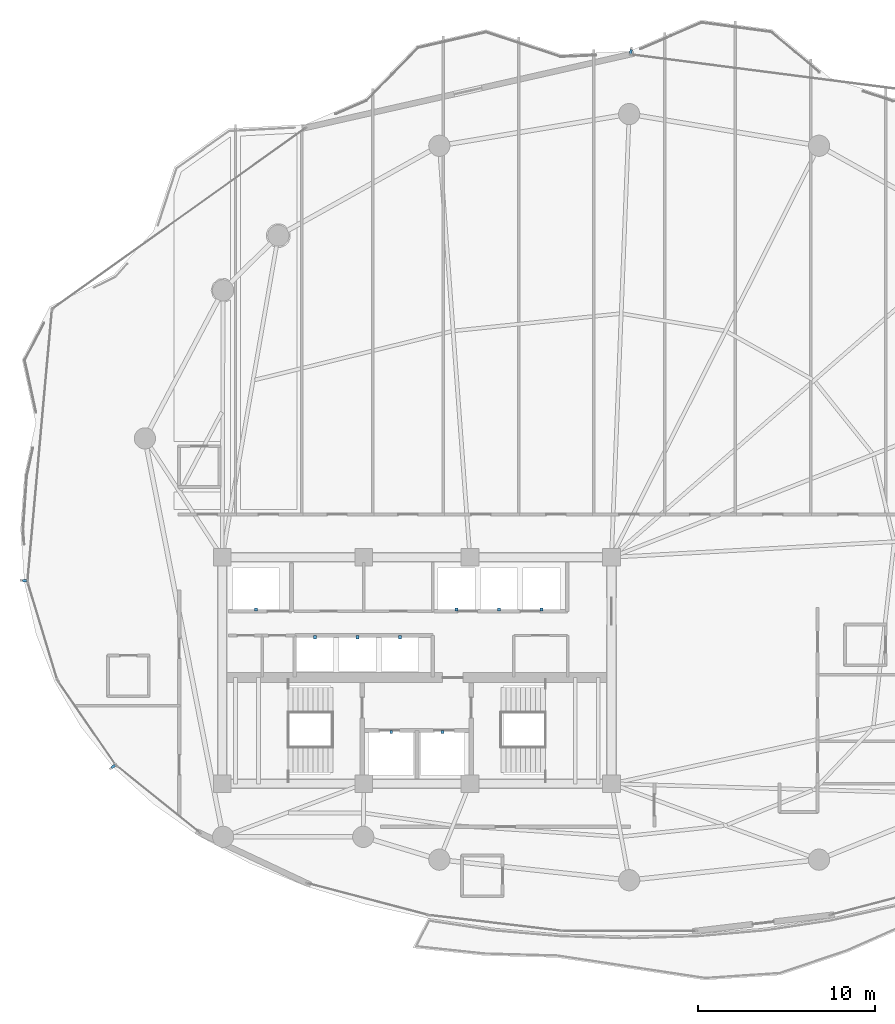
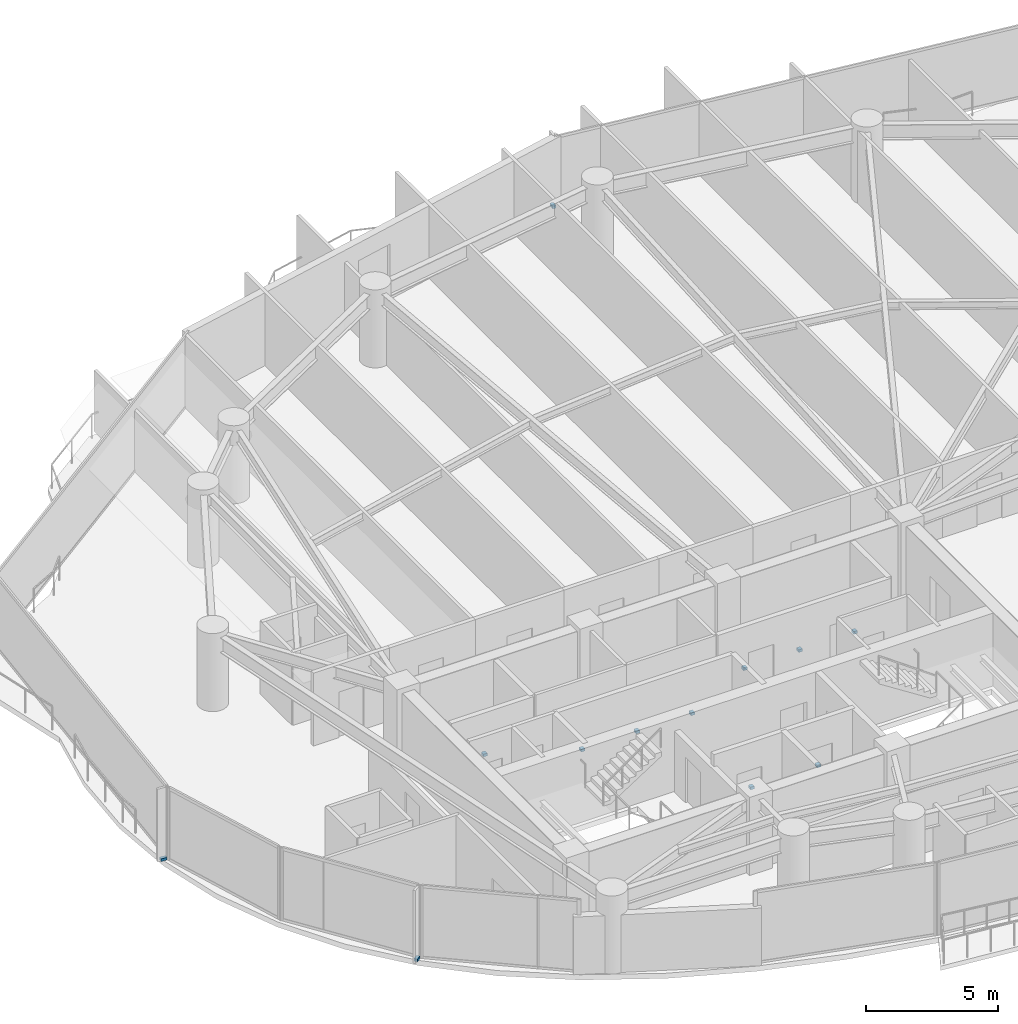
# One storey, part 29 of 33: 12 discrete accessories.
"""IFC4 building model written with IfcOpenShell, lengths in metres."""

from ifc_helpers import new_model, si_unit, direction, frame, origin, origin_2d, place, context, subcontext, project, spatial, rectangle, extrude, material, type_object, element, save


model = new_model("IFC4")

# Units and contexts
model_context = context("Model", 3, precision=1e-05, world=origin(), true_north=direction((0.0, 1.0)))
body_context = subcontext(model_context, "Body", "Model", "MODEL_VIEW")
ifc_project = project(units=[si_unit("LENGTHUNIT", "METRE"), si_unit("AREAUNIT", "SQUARE_METRE"), si_unit("VOLUMEUNIT", "CUBIC_METRE"), si_unit("PLANEANGLEUNIT", "RADIAN"), si_unit("MASSUNIT", "GRAM", prefix="KILO")], contexts=[model_context])

# Site, building, storey
site_placement = place(None, origin())
site = spatial("IfcSite", under=ifc_project, at=site_placement, CompositionType="ELEMENT")
building_placement = place(site_placement, origin())
building = spatial("IfcBuilding", under=site, at=building_placement, Name="Kazevale Care Tower and Concert Hall", CompositionType="ELEMENT")
storey_placement = place(building_placement, frame((0.0, 0.0, 145.800048828125)))
storey = spatial("IfcBuildingStorey", under=building, at=storey_placement, Name="L38", CompositionType="ELEMENT", Elevation=145.800048828125)

# Discrete accessories
ifc_material = material(Name="Stainless Steel 316", Category="steel")
discrete_accessory_type_1 = type_object("IfcDiscreteAccessoryType", Name="Facade Fin Stainless Anchor Bracket BRK-1", PredefinedType="BRACKET", material=ifc_material)
for number, where, z_axis, x_axis, name in (
    (1, (15.84130859375, 24.574462890625, 0.0), (0.0, 0.0, 1.0), (-0.823334533242, -0.567556381667, 0.0), "cw:L38:f11:brk"),
    (2, (10.829345703125, 35.0791015625, 0.0), (0.0, 0.0, 1.0), (-0.995963111248, 0.089763472712, 0.0), "cw:L38:f13:brk"),
    (3, (45.09814453125, 64.970947265625, 0.0), (0.0, 0.0, 1.0), (0.12827634114, 0.991738463661, 0.0), "cw:L38:f16:brk"),
):
    element("IfcDiscreteAccessory", number, at=place(storey_placement, frame(where, z_axis=z_axis, x_axis=x_axis)), inside=storey, type_object=discrete_accessory_type_1, Name=name, PredefinedType="BRACKET", context=body_context, shape_type="SweptSolid", body=[
        extrude(rectangle(XDim=0.239990234375, YDim=0.139892578125, at=origin_2d()), origin(), (0.0, 0.0, 1.0), 0.1201171875),
    ])
discrete_accessory_type_2 = type_object("IfcDiscreteAccessoryType", Name="Hoistway Guide-Rail Wall Bracket HBRK-1", PredefinedType="BRACKET", material=ifc_material)
for number, where, z_axis, x_axis, name in (
    (4, (31.550048828125, 26.52001953125, 1.239990234375), (0.0, 0.0, 1.0), (1.0, 0.0, 0.0), "hbrk:FFL-1:L38"),
    (5, (34.449951171875, 26.52001953125, 1.239990234375), (0.0, 0.0, 1.0), (1.0, 0.0, 0.0), "hbrk:FFL-2:L38"),
    (6, (23.89990234375, 33.449951171875, 1.239990234375), (0.0, 0.0, 1.0), (1.0, 0.0, 0.0), "hbrk:SVL-1:L38"),
    (7, (35.25, 33.449951171875, 1.239990234375), (0.0, 0.0, 1.0), (1.0, 0.0, 0.0), "hbrk:PM-1:L38"),
    (8, (37.64990234375, 33.449951171875, 1.239990234375), (0.0, 0.0, 1.0), (1.0, 0.0, 0.0), "hbrk:PM-2:L38"),
    (9, (40.050048828125, 33.449951171875, 1.239990234375), (0.0, 0.0, 1.0), (1.0, 0.0, 0.0), "hbrk:PM-3:L38"),
    (10, (27.25, 31.8798828125, 1.239990234375), (0.0, 0.0, 1.0), (1.0, 0.0, 0.0), "hbrk:PH-1:L38"),
    (11, (29.64990234375, 31.8798828125, 1.239990234375), (0.0, 0.0, 1.0), (1.0, 0.0, 0.0), "hbrk:PH-2:L38"),
    (12, (32.050048828125, 31.8798828125, 1.239990234375), (0.0, 0.0, 1.0), (1.0, 0.0, 0.0), "hbrk:PH-3:L38"),
):
    element("IfcDiscreteAccessory", number, at=place(storey_placement, frame(where, z_axis=z_axis, x_axis=x_axis)), inside=storey, type_object=discrete_accessory_type_2, Name=name, PredefinedType="BRACKET", context=body_context, shape_type="SweptSolid", body=[
        extrude(rectangle(XDim=0.159912109375, YDim=0.179931640625, at=origin_2d()), origin(), (0.0, 0.0, 1.0), 0.1201171875),
    ])

save(model, "model.ifc")
